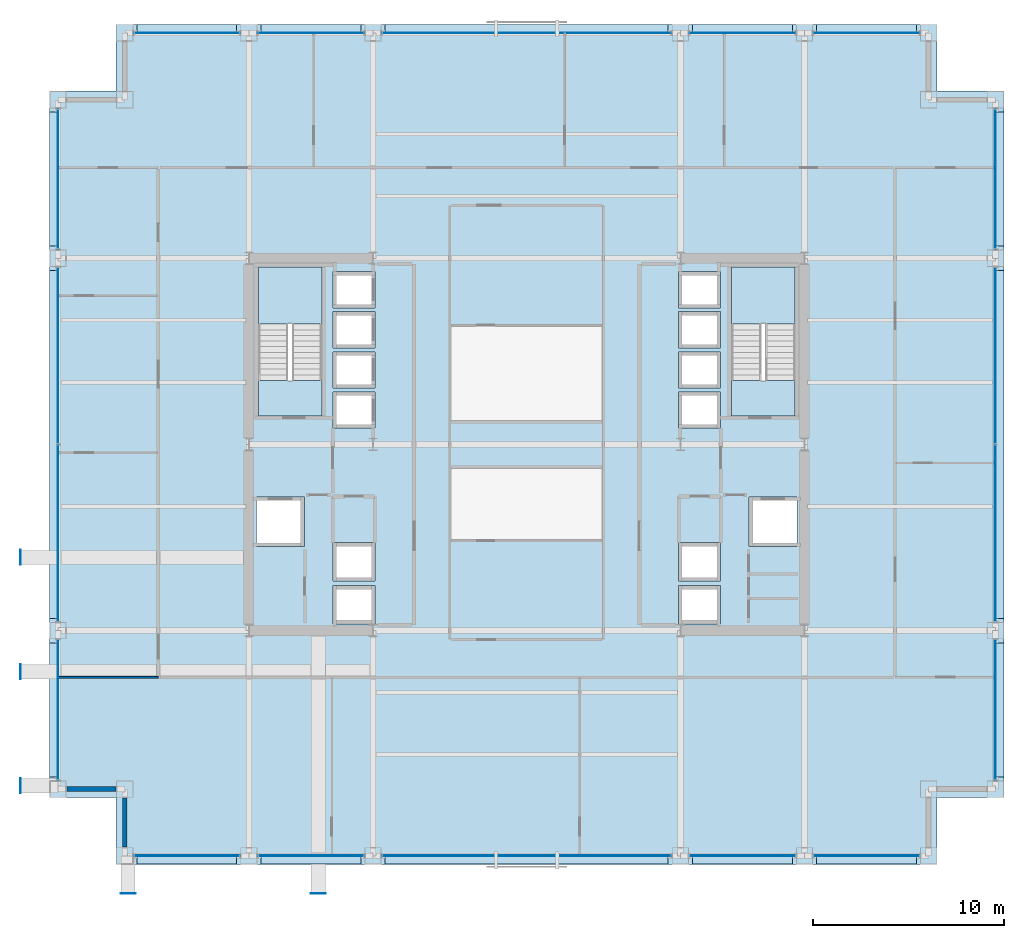
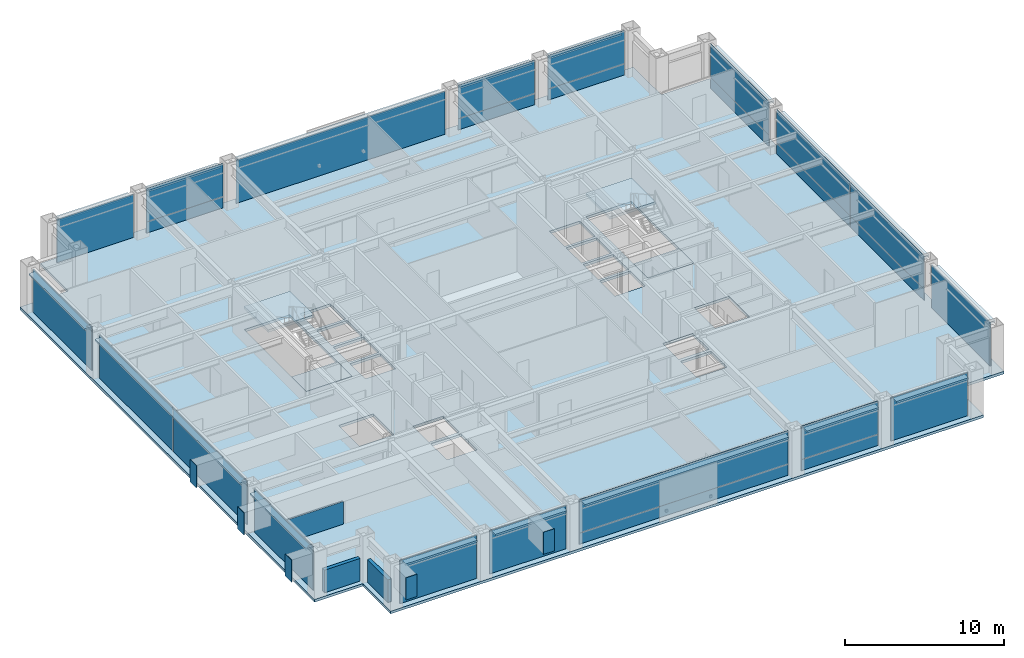
# One storey, part 24 of 29: 47 plates, 5 slabs, 3 walls, 18 elements without a shape of their own.
"""IFC4 building model written with IfcOpenShell, lengths in metres."""

from ifc_helpers import new_model, si_unit, direction, frame, frame_2d, origin, origin_2d, place, context, subcontext, project, spatial, polyline, rectangle, outline, extrude, material, layer, layer_set, type_object, element, aggregate, save


model = new_model("IFC4")

# Units and contexts
model_context = context("Model", 3, precision=1e-05, world=origin(), true_north=direction((0.0, 1.0)))
body_context = subcontext(model_context, "Body", "Model", "MODEL_VIEW")
ifc_project = project(units=[si_unit("LENGTHUNIT", "METRE"), si_unit("AREAUNIT", "SQUARE_METRE"), si_unit("VOLUMEUNIT", "CUBIC_METRE"), si_unit("PLANEANGLEUNIT", "RADIAN"), si_unit("MASSUNIT", "GRAM", prefix="KILO")], contexts=[model_context])

# Site, building, storey
site_placement = place(None, origin())
site = spatial("IfcSite", under=ifc_project, at=site_placement, CompositionType="ELEMENT")
building_placement = place(site_placement, origin())
building = spatial("IfcBuilding", under=site, at=building_placement, Name="Brelmoor Portico Tower", CompositionType="ELEMENT")
storey_placement = place(building_placement, frame((0.0, 0.0, 52.800048828125)))
storey = spatial("IfcBuildingStorey", under=building, at=storey_placement, Name="L13", CompositionType="ELEMENT", Elevation=52.800048828125)

# Plates
ifc_material_1 = material(Name="Steel Q355B", Category="steel")
ifc_layer_1 = layer(ifc_material_1, 0.044921875)
ifc_layer_set_1 = layer_set([ifc_layer_1], Name="Steel Q355B")
plate_type_1 = type_object("IfcPlateType", Name="PT-CAP-650", PredefinedType="SHEET", material=ifc_layer_set_1)
for number, where, z_axis, x_axis, name in (
    (1, (-26.52001953125, -17.8798828125, 1.72021484375), (0.0, 0.0, 1.0), (1.0, 0.0, 0.0), "L13 Picture-Frame Cantilever End Cap Plate PFB-01"),
    (2, (-26.52001953125, -5.919921875, 1.72021484375), (0.0, 0.0, 1.0), (1.0, 0.0, 0.0), "L13 Picture-Frame Cantilever End Cap Plate PFB-02"),
    (3, (-26.52001953125, -11.89990234375, 1.72021484375), (0.0, 0.0, 1.0), (1.0, 0.0, 0.0), "L13 Picture-Frame Cantilever End Cap Plate PFB-03"),
):
    element("IfcPlate", number, at=place(storey_placement, frame(where, z_axis=z_axis, x_axis=x_axis)), inside=storey, type_object=plate_type_1, Name=name, PredefinedType="SHEET", context=body_context, shape_type="SweptSolid", body=[
        extrude(rectangle(XDim=0.0400390625, YDim=0.7900390625, at=origin_2d()), origin(), (0.0, 0.0, 1.0), 1.699951171875),
    ])
for number, where, z_axis, x_axis, name in (
    (4, (-20.8798828125, -23.52001953125, 1.72021484375), (0.0, 0.0, 1.0), (1.0, 0.0, 0.0), "L13 Picture-Frame Cantilever End Cap Plate PFB-04"),
    (5, (-10.919921875, -23.52001953125, 1.72021484375), (0.0, 0.0, 1.0), (1.0, 0.0, 0.0), "L13 Picture-Frame Cantilever End Cap Plate PFB-05"),
):
    element("IfcPlate", number, at=place(storey_placement, frame(where, z_axis=z_axis, x_axis=x_axis)), inside=storey, type_object=plate_type_1, Name=name, PredefinedType="SHEET", context=body_context, shape_type="SweptSolid", body=[
        extrude(rectangle(XDim=0.7900390625, YDim=0.0400390625, at=origin_2d()), origin(), (0.0, 0.0, 1.0), 1.699951171875),
    ])

# Curtain wall, plate
ifc_material_2 = material(Name="Anodised Aluminium Alloy 6063-T6", Category="aluminium")
ifc_layer_2 = layer(ifc_material_2, 0.179931640625)
ifc_layer_set_2 = layer_set([ifc_layer_2], Name="Anodised Aluminium Alloy 6063-T6")
curtain_wall_type_1 = type_object("IfcCurtainWallType", Name="CW-TOWER-Z1", PredefinedType="NOTDEFINED", material=ifc_layer_set_2)
curtain_wall_1_placement = place(storey_placement, origin())
curtain_wall_1 = element("IfcCurtainWall", 6, at=curtain_wall_1_placement, inside=storey, type_object=curtain_wall_type_1, Name="L13 Curtain Wall CW-L13-01-3", PredefinedType="NOTDEFINED")
ifc_material_3 = material(Name="Double-Silver Low-E Insulated Glazing", Category="glass")
ifc_layer_3 = layer(ifc_material_3, 0.035888671875)
ifc_layer_set_3 = layer_set([ifc_layer_3], Name="Double-Silver Low-E Insulated Glazing")
plate_type_2 = type_object("IfcPlateType", Name="PT-CW-GLASS", PredefinedType="CURTAIN_PANEL", material=ifc_layer_set_3)
plate_1_placement = place(storey_placement, frame((0.0, -21.550048828125, 0.85009765625), z_axis=(0.0, 0.0, 1.0), x_axis=(1.0, 0.0, 0.0)))
plate_1 = element("IfcPlate", 7, at=plate_1_placement, type_object=plate_type_2, Name="CW-L13-01-3 Vision Glass Panel 00", PredefinedType="CURTAIN_PANEL", context=body_context, shape_type="SweptSolid", body=[
    extrude(rectangle(XDim=15.14990234375, YDim=0.035888671875, at=origin_2d()), origin(), (0.0, 0.0, 1.0), 2.550048828125),
])

curtain_wall_2_placement = place(storey_placement, origin())
curtain_wall_2 = element("IfcCurtainWall", 8, at=curtain_wall_2_placement, inside=storey, type_object=curtain_wall_type_1, Name="L13 Curtain Wall CW-L13-01-4", PredefinedType="NOTDEFINED")
plate_2_placement = place(storey_placement, frame((11.300048828125, -21.550048828125, 0.85009765625), z_axis=(0.0, 0.0, 1.0), x_axis=(1.0, 0.0, 0.0)))
plate_2 = element("IfcPlate", 9, at=plate_2_placement, type_object=plate_type_2, Name="CW-L13-01-4 Vision Glass Panel 00", PredefinedType="CURTAIN_PANEL", context=body_context, shape_type="SweptSolid", body=[
    extrude(rectangle(XDim=5.550048828125, YDim=0.035888671875, at=origin_2d()), origin(), (0.0, 0.0, 1.0), 2.550048828125),
])

curtain_wall_3_placement = place(storey_placement, origin())
curtain_wall_3 = element("IfcCurtainWall", 10, at=curtain_wall_3_placement, inside=storey, type_object=curtain_wall_type_1, Name="L13 Curtain Wall CW-L13-02-2", PredefinedType="NOTDEFINED")
plate_3_placement = place(storey_placement, frame((-11.300048828125, 21.550048828125, 0.85009765625), z_axis=(0.0, 0.0, 1.0), x_axis=(1.0, 0.0, 0.0)))
plate_3 = element("IfcPlate", 11, at=plate_3_placement, type_object=plate_type_2, Name="CW-L13-02-2 Vision Glass Panel 00", PredefinedType="CURTAIN_PANEL", context=body_context, shape_type="SweptSolid", body=[
    extrude(rectangle(XDim=5.550048828125, YDim=0.035888671875, at=origin_2d()), origin(), (0.0, 0.0, 1.0), 2.550048828125),
])

curtain_wall_4_placement = place(storey_placement, origin())
curtain_wall_4 = element("IfcCurtainWall", 12, at=curtain_wall_4_placement, inside=storey, type_object=curtain_wall_type_1, Name="L13 Curtain Wall CW-L13-02-4", PredefinedType="NOTDEFINED")
plate_4_placement = place(storey_placement, frame((11.300048828125, 21.550048828125, 0.85009765625), z_axis=(0.0, 0.0, 1.0), x_axis=(1.0, 0.0, 0.0)))
plate_4 = element("IfcPlate", 13, at=plate_4_placement, type_object=plate_type_2, Name="CW-L13-02-4 Vision Glass Panel 00", PredefinedType="CURTAIN_PANEL", context=body_context, shape_type="SweptSolid", body=[
    extrude(rectangle(XDim=5.550048828125, YDim=0.035888671875, at=origin_2d()), origin(), (0.0, 0.0, 1.0), 2.550048828125),
])

curtain_wall_5_placement = place(storey_placement, origin())
curtain_wall_5 = element("IfcCurtainWall", 14, at=curtain_wall_5_placement, inside=storey, type_object=curtain_wall_type_1, Name="L13 Curtain Wall CW-L13-02-5", PredefinedType="NOTDEFINED")
plate_5_placement = place(storey_placement, frame((17.800048828125, 21.550048828125, 0.85009765625), z_axis=(0.0, 0.0, 1.0), x_axis=(1.0, 0.0, 0.0)))
plate_5 = element("IfcPlate", 15, at=plate_5_placement, type_object=plate_type_2, Name="CW-L13-02-5 Vision Glass Panel 00", PredefinedType="CURTAIN_PANEL", context=body_context, shape_type="SweptSolid", body=[
    extrude(rectangle(XDim=5.550048828125, YDim=0.035888671875, at=origin_2d()), origin(), (0.0, 0.0, 1.0), 2.550048828125),
])

# Curtain wall, plates
curtain_wall_6_placement = place(storey_placement, origin())
curtain_wall_6 = element("IfcCurtainWall", 16, at=curtain_wall_6_placement, inside=storey, type_object=curtain_wall_type_1, Name="L13 Curtain Wall CW-L13-04-2", PredefinedType="NOTDEFINED")
plate_6_placement = place(storey_placement, frame((24.550048828125, -4.64501953125, 0.85009765625), z_axis=(0.0, 0.0, 1.0), x_axis=(0.0, 1.0, 0.0)))
plate_6 = element("IfcPlate", 17, at=plate_6_placement, type_object=plate_type_2, Name="CW-L13-04-2 Vision Glass Panel 00", PredefinedType="CURTAIN_PANEL", context=body_context, shape_type="SweptSolid", body=[
    extrude(rectangle(XDim=9.260009765625, YDim=0.035888671875, at=origin_2d()), origin(), (0.0, 0.0, 1.0), 2.550048828125),
])
plate_7_placement = place(storey_placement, frame((24.550048828125, 4.64501953125, 0.85009765625), z_axis=(0.0, 0.0, 1.0), x_axis=(0.0, 1.0, 0.0)))
plate_7 = element("IfcPlate", 18, at=plate_7_placement, type_object=plate_type_2, Name="CW-L13-04-2 Vision Glass Panel 01", PredefinedType="CURTAIN_PANEL", context=body_context, shape_type="SweptSolid", body=[
    extrude(rectangle(XDim=9.260009765625, YDim=0.035888671875, at=origin_2d()), origin(), (0.0, 0.0, 1.0), 2.550048828125),
])

# Curtain wall, plate
curtain_wall_7_placement = place(storey_placement, origin())
curtain_wall_7 = element("IfcCurtainWall", 19, at=curtain_wall_7_placement, inside=storey, type_object=curtain_wall_type_1, Name="L13 Curtain Wall CW-L13-04-3", PredefinedType="NOTDEFINED")
plate_8_placement = place(storey_placement, frame((24.550048828125, 13.89990234375, 0.85009765625), z_axis=(0.0, 0.0, 1.0), x_axis=(0.0, 1.0, 0.0)))
plate_8 = element("IfcPlate", 20, at=plate_8_placement, type_object=plate_type_2, Name="CW-L13-04-3 Vision Glass Panel 00", PredefinedType="CURTAIN_PANEL", context=body_context, shape_type="SweptSolid", body=[
    extrude(rectangle(XDim=7.35009765625, YDim=0.035888671875, at=origin_2d()), origin(), (0.0, 0.0, 1.0), 2.550048828125),
])

ifc_layer_4 = layer(ifc_material_2, 0.179931640625)
ifc_layer_set_4 = layer_set([ifc_layer_4], Name="Anodised Aluminium Alloy 6063-T6")
curtain_wall_type_2 = type_object("IfcCurtainWallType", Name="CW-TOWER-Z1-XB", PredefinedType="NOTDEFINED", material=ifc_layer_set_4)
curtain_wall_8_placement = place(storey_placement, origin())
curtain_wall_8 = element("IfcCurtainWall", 21, at=curtain_wall_8_placement, inside=storey, type_object=curtain_wall_type_2, Name="L13 Curtain Wall CW-L13-01-1", PredefinedType="NOTDEFINED")
ifc_material_4 = material(Name="Pale Champagne Anodised Aluminium Panel", Category="aluminium")
ifc_layer_5 = layer(ifc_material_4, 0.050048828125)
ifc_layer_set_5 = layer_set([ifc_layer_5], Name="Pale Champagne Anodised Aluminium Panel")
plate_type_3 = type_object("IfcPlateType", Name="PT-CW-SPANDREL", PredefinedType="SHEET", material=ifc_layer_set_5)
plate_9_placement = place(storey_placement, frame((-17.800048828125, -21.550048828125, 0.0), z_axis=(0.0, 0.0, 1.0), x_axis=(1.0, 0.0, 0.0)))
plate_9 = element("IfcPlate", 22, at=plate_9_placement, type_object=plate_type_3, Name="CW-L13-01-1 Spandrel Panel 00", PredefinedType="SHEET", context=body_context, shape_type="SweptSolid", body=[
    extrude(rectangle(XDim=5.550048828125, YDim=0.050048828125, at=origin_2d()), origin(), (0.0, 0.0, 1.0), 3.330078125),
])
aggregate(curtain_wall_8, [plate_9])

curtain_wall_9_placement = place(storey_placement, origin())
curtain_wall_9 = element("IfcCurtainWall", 23, at=curtain_wall_9_placement, inside=storey, type_object=curtain_wall_type_2, Name="L13 Curtain Wall CW-L13-01-2", PredefinedType="NOTDEFINED")
plate_10_placement = place(storey_placement, frame((-11.300048828125, -21.550048828125, 0.0), z_axis=(0.0, 0.0, 1.0), x_axis=(1.0, 0.0, 0.0)))
plate_10 = element("IfcPlate", 24, at=plate_10_placement, type_object=plate_type_3, Name="CW-L13-01-2 Spandrel Panel 00", PredefinedType="SHEET", context=body_context, shape_type="SweptSolid", body=[
    extrude(rectangle(XDim=5.550048828125, YDim=0.050048828125, at=origin_2d()), origin(), (0.0, 0.0, 1.0), 3.330078125),
])
aggregate(curtain_wall_9, [plate_10])

# Plate
plate_11_placement = place(storey_placement, frame((0.0, -21.550048828125, 0.0), z_axis=(0.0, 0.0, 1.0), x_axis=(1.0, 0.0, 0.0)))
plate_11 = element("IfcPlate", 25, at=plate_11_placement, type_object=plate_type_3, Name="CW-L13-01-3 Spandrel Panel 00", PredefinedType="SHEET", context=body_context, shape_type="SweptSolid", body=[
    extrude(rectangle(XDim=15.14990234375, YDim=0.050048828125, at=origin_2d()), origin(), (0.0, 0.0, 1.0), 0.85009765625),
])

aggregate(curtain_wall_1, [plate_11, plate_1])

plate_12_placement = place(storey_placement, frame((11.300048828125, -21.550048828125, 0.0), z_axis=(0.0, 0.0, 1.0), x_axis=(1.0, 0.0, 0.0)))
plate_12 = element("IfcPlate", 26, at=plate_12_placement, type_object=plate_type_3, Name="CW-L13-01-4 Spandrel Panel 00", PredefinedType="SHEET", context=body_context, shape_type="SweptSolid", body=[
    extrude(rectangle(XDim=5.550048828125, YDim=0.050048828125, at=origin_2d()), origin(), (0.0, 0.0, 1.0), 0.85009765625),
])

aggregate(curtain_wall_2, [plate_12, plate_2])

# Curtain wall, plate
curtain_wall_10_placement = place(storey_placement, origin())
curtain_wall_10 = element("IfcCurtainWall", 27, at=curtain_wall_10_placement, inside=storey, type_object=curtain_wall_type_2, Name="L13 Curtain Wall CW-L13-01-5", PredefinedType="NOTDEFINED")
plate_13_placement = place(storey_placement, frame((17.800048828125, -21.550048828125, 0.0), z_axis=(0.0, 0.0, 1.0), x_axis=(1.0, 0.0, 0.0)))
plate_13 = element("IfcPlate", 28, at=plate_13_placement, type_object=plate_type_3, Name="CW-L13-01-5 Spandrel Panel 00", PredefinedType="SHEET", context=body_context, shape_type="SweptSolid", body=[
    extrude(rectangle(XDim=5.550048828125, YDim=0.050048828125, at=origin_2d()), origin(), (0.0, 0.0, 1.0), 3.330078125),
])
aggregate(curtain_wall_10, [plate_13])

curtain_wall_11_placement = place(storey_placement, origin())
curtain_wall_11 = element("IfcCurtainWall", 29, at=curtain_wall_11_placement, inside=storey, type_object=curtain_wall_type_2, Name="L13 Curtain Wall CW-L13-02-1", PredefinedType="NOTDEFINED")
plate_14_placement = place(storey_placement, frame((-17.800048828125, 21.550048828125, 0.0), z_axis=(0.0, 0.0, 1.0), x_axis=(1.0, 0.0, 0.0)))
plate_14 = element("IfcPlate", 30, at=plate_14_placement, type_object=plate_type_3, Name="CW-L13-02-1 Spandrel Panel 00", PredefinedType="SHEET", context=body_context, shape_type="SweptSolid", body=[
    extrude(rectangle(XDim=5.550048828125, YDim=0.050048828125, at=origin_2d()), origin(), (0.0, 0.0, 1.0), 3.330078125),
])
aggregate(curtain_wall_11, [plate_14])

# Plate
plate_15_placement = place(storey_placement, frame((-11.300048828125, 21.550048828125, 0.0), z_axis=(0.0, 0.0, 1.0), x_axis=(1.0, 0.0, 0.0)))
plate_15 = element("IfcPlate", 31, at=plate_15_placement, type_object=plate_type_3, Name="CW-L13-02-2 Spandrel Panel 00", PredefinedType="SHEET", context=body_context, shape_type="SweptSolid", body=[
    extrude(rectangle(XDim=5.550048828125, YDim=0.050048828125, at=origin_2d()), origin(), (0.0, 0.0, 1.0), 0.85009765625),
])

aggregate(curtain_wall_3, [plate_15, plate_3])

# Curtain wall, plate
curtain_wall_12_placement = place(storey_placement, origin())
curtain_wall_12 = element("IfcCurtainWall", 32, at=curtain_wall_12_placement, inside=storey, type_object=curtain_wall_type_2, Name="L13 Curtain Wall CW-L13-02-3", PredefinedType="NOTDEFINED")
plate_16_placement = place(storey_placement, frame((0.0, 21.550048828125, 0.0), z_axis=(0.0, 0.0, 1.0), x_axis=(1.0, 0.0, 0.0)))
plate_16 = element("IfcPlate", 33, at=plate_16_placement, type_object=plate_type_3, Name="CW-L13-02-3 Spandrel Panel 00", PredefinedType="SHEET", context=body_context, shape_type="SweptSolid", body=[
    extrude(rectangle(XDim=15.14990234375, YDim=0.050048828125, at=origin_2d()), origin(), (0.0, 0.0, 1.0), 3.330078125),
])
aggregate(curtain_wall_12, [plate_16])

# Plate
plate_17_placement = place(storey_placement, frame((11.300048828125, 21.550048828125, 0.0), z_axis=(0.0, 0.0, 1.0), x_axis=(1.0, 0.0, 0.0)))
plate_17 = element("IfcPlate", 34, at=plate_17_placement, type_object=plate_type_3, Name="CW-L13-02-4 Spandrel Panel 00", PredefinedType="SHEET", context=body_context, shape_type="SweptSolid", body=[
    extrude(rectangle(XDim=5.550048828125, YDim=0.050048828125, at=origin_2d()), origin(), (0.0, 0.0, 1.0), 0.85009765625),
])

aggregate(curtain_wall_4, [plate_17, plate_4])

plate_18_placement = place(storey_placement, frame((17.800048828125, 21.550048828125, 0.0), z_axis=(0.0, 0.0, 1.0), x_axis=(1.0, 0.0, 0.0)))
plate_18 = element("IfcPlate", 35, at=plate_18_placement, type_object=plate_type_3, Name="CW-L13-02-5 Spandrel Panel 00", PredefinedType="SHEET", context=body_context, shape_type="SweptSolid", body=[
    extrude(rectangle(XDim=5.550048828125, YDim=0.050048828125, at=origin_2d()), origin(), (0.0, 0.0, 1.0), 0.85009765625),
])

aggregate(curtain_wall_5, [plate_18, plate_5])

# Curtain wall, plate
curtain_wall_13_placement = place(storey_placement, origin())
curtain_wall_13 = element("IfcCurtainWall", 36, at=curtain_wall_13_placement, inside=storey, type_object=curtain_wall_type_2, Name="L13 Curtain Wall CW-L13-03-1", PredefinedType="NOTDEFINED")
plate_19_placement = place(storey_placement, frame((-24.550048828125, -13.89990234375, 0.0), z_axis=(0.0, 0.0, 1.0), x_axis=(0.0, 1.0, 0.0)))
plate_19 = element("IfcPlate", 37, at=plate_19_placement, type_object=plate_type_3, Name="CW-L13-03-1 Spandrel Panel 00", PredefinedType="SHEET", context=body_context, shape_type="SweptSolid", body=[
    extrude(rectangle(XDim=7.35009765625, YDim=0.050048828125, at=origin_2d()), origin(), (0.0, 0.0, 1.0), 3.330078125),
])
aggregate(curtain_wall_13, [plate_19])

# Curtain wall, plates
curtain_wall_14_placement = place(storey_placement, origin())
curtain_wall_14 = element("IfcCurtainWall", 38, at=curtain_wall_14_placement, inside=storey, type_object=curtain_wall_type_2, Name="L13 Curtain Wall CW-L13-03-2", PredefinedType="NOTDEFINED")
plate_20_placement = place(storey_placement, frame((-24.550048828125, -4.64501953125, 0.0), z_axis=(0.0, 0.0, 1.0), x_axis=(0.0, 1.0, 0.0)))
plate_20 = element("IfcPlate", 39, at=plate_20_placement, type_object=plate_type_3, Name="CW-L13-03-2 Spandrel Panel 00", PredefinedType="SHEET", context=body_context, shape_type="SweptSolid", body=[
    extrude(rectangle(XDim=9.260009765625, YDim=0.050048828125, at=origin_2d()), origin(), (0.0, 0.0, 1.0), 3.330078125),
])
plate_21_placement = place(storey_placement, frame((-24.550048828125, 4.64501953125, 0.0), z_axis=(0.0, 0.0, 1.0), x_axis=(0.0, 1.0, 0.0)))
plate_21 = element("IfcPlate", 40, at=plate_21_placement, type_object=plate_type_3, Name="CW-L13-03-2 Spandrel Panel 01", PredefinedType="SHEET", context=body_context, shape_type="SweptSolid", body=[
    extrude(rectangle(XDim=9.260009765625, YDim=0.050048828125, at=origin_2d()), origin(), (0.0, 0.0, 1.0), 3.330078125),
])
aggregate(curtain_wall_14, [plate_20, plate_21])

# Curtain wall, plate
curtain_wall_15_placement = place(storey_placement, origin())
curtain_wall_15 = element("IfcCurtainWall", 41, at=curtain_wall_15_placement, inside=storey, type_object=curtain_wall_type_2, Name="L13 Curtain Wall CW-L13-03-3", PredefinedType="NOTDEFINED")
plate_22_placement = place(storey_placement, frame((-24.550048828125, 13.89990234375, 0.0), z_axis=(0.0, 0.0, 1.0), x_axis=(0.0, 1.0, 0.0)))
plate_22 = element("IfcPlate", 42, at=plate_22_placement, type_object=plate_type_3, Name="CW-L13-03-3 Spandrel Panel 00", PredefinedType="SHEET", context=body_context, shape_type="SweptSolid", body=[
    extrude(rectangle(XDim=7.35009765625, YDim=0.050048828125, at=origin_2d()), origin(), (0.0, 0.0, 1.0), 3.330078125),
])
aggregate(curtain_wall_15, [plate_22])

curtain_wall_16_placement = place(storey_placement, origin())
curtain_wall_16 = element("IfcCurtainWall", 43, at=curtain_wall_16_placement, inside=storey, type_object=curtain_wall_type_2, Name="L13 Curtain Wall CW-L13-04-1", PredefinedType="NOTDEFINED")
plate_23_placement = place(storey_placement, frame((24.550048828125, -13.89990234375, 0.0), z_axis=(0.0, 0.0, 1.0), x_axis=(0.0, 1.0, 0.0)))
plate_23 = element("IfcPlate", 44, at=plate_23_placement, type_object=plate_type_3, Name="CW-L13-04-1 Spandrel Panel 00", PredefinedType="SHEET", context=body_context, shape_type="SweptSolid", body=[
    extrude(rectangle(XDim=7.35009765625, YDim=0.050048828125, at=origin_2d()), origin(), (0.0, 0.0, 1.0), 3.330078125),
])
aggregate(curtain_wall_16, [plate_23])

# Plate
plate_24_placement = place(storey_placement, frame((24.550048828125, -4.64501953125, 0.0), z_axis=(0.0, 0.0, 1.0), x_axis=(0.0, 1.0, 0.0)))
plate_24 = element("IfcPlate", 45, at=plate_24_placement, type_object=plate_type_3, Name="CW-L13-04-2 Spandrel Panel 00", PredefinedType="SHEET", context=body_context, shape_type="SweptSolid", body=[
    extrude(rectangle(XDim=9.260009765625, YDim=0.050048828125, at=origin_2d()), origin(), (0.0, 0.0, 1.0), 0.85009765625),
])

plate_25_placement = place(storey_placement, frame((24.550048828125, 4.64501953125, 0.0), z_axis=(0.0, 0.0, 1.0), x_axis=(0.0, 1.0, 0.0)))
plate_25 = element("IfcPlate", 46, at=plate_25_placement, type_object=plate_type_3, Name="CW-L13-04-2 Spandrel Panel 01", PredefinedType="SHEET", context=body_context, shape_type="SweptSolid", body=[
    extrude(rectangle(XDim=9.260009765625, YDim=0.050048828125, at=origin_2d()), origin(), (0.0, 0.0, 1.0), 0.85009765625),
])

aggregate(curtain_wall_6, [plate_24, plate_6, plate_25, plate_7])

plate_26_placement = place(storey_placement, frame((24.550048828125, 13.89990234375, 0.0), z_axis=(0.0, 0.0, 1.0), x_axis=(0.0, 1.0, 0.0)))
plate_26 = element("IfcPlate", 47, at=plate_26_placement, type_object=plate_type_3, Name="CW-L13-04-3 Spandrel Panel 00", PredefinedType="SHEET", context=body_context, shape_type="SweptSolid", body=[
    extrude(rectangle(XDim=7.35009765625, YDim=0.050048828125, at=origin_2d()), origin(), (0.0, 0.0, 1.0), 0.85009765625),
])

aggregate(curtain_wall_7, [plate_26, plate_8])

# Plates
ifc_material_5 = material(Name="Pale Champagne Perforated Aluminium Solar Screen", Category="aluminium")
ifc_layer_6 = layer(ifc_material_5, 0.054931640625)
ifc_layer_set_6 = layer_set([ifc_layer_6], Name="Pale Champagne Perforated Aluminium Solar Screen")
plate_type_4 = type_object("IfcPlateType", Name="PT-SOLAR-LOUVRE", PredefinedType="SHEET", material=ifc_layer_set_6)
for number, where, z_axis, x_axis, name in (
    (48, (-17.800048828125, -21.760009765625, 3.08984375), (0.0, 0.0, 1.0), (1.0, 0.0, 0.0), "CW-L13-01-1 Caribbean Brise-Soleil Solar Screen"),
    (49, (-11.300048828125, -21.760009765625, 3.08984375), (0.0, 0.0, 1.0), (1.0, 0.0, 0.0), "CW-L13-01-2 Caribbean Brise-Soleil Solar Screen"),
):
    element("IfcPlate", number, at=place(storey_placement, frame(where, z_axis=z_axis, x_axis=x_axis)), inside=storey, type_object=plate_type_4, Name=name, PredefinedType="SHEET", context=body_context, shape_type="SweptSolid", body=[
        extrude(rectangle(XDim=5.219970703125, YDim=0.4599609375, at=origin_2d()), origin(), (0.0, 0.0, 1.0), 0.139892578125),
    ])
plate_27_placement = place(storey_placement, frame((0.0, -21.760009765625, 3.08984375), z_axis=(0.0, 0.0, 1.0), x_axis=(1.0, 0.0, 0.0)))
element("IfcPlate", 50, at=plate_27_placement, inside=storey, type_object=plate_type_4, Name="CW-L13-01-3 Caribbean Brise-Soleil Solar Screen", PredefinedType="SHEET", context=body_context, shape_type="SweptSolid", body=[
    extrude(rectangle(XDim=14.820068359375, YDim=0.4599609375, at=origin_2d()), origin(), (0.0, 0.0, 1.0), 0.139892578125),
])
for number, where, z_axis, x_axis, name in (
    (51, (11.300048828125, -21.760009765625, 3.08984375), (0.0, 0.0, 1.0), (1.0, 0.0, 0.0), "CW-L13-01-4 Caribbean Brise-Soleil Solar Screen"),
    (52, (17.800048828125, -21.760009765625, 3.08984375), (0.0, 0.0, 1.0), (1.0, 0.0, 0.0), "CW-L13-01-5 Caribbean Brise-Soleil Solar Screen"),
    (53, (-17.800048828125, 21.760009765625, 3.08984375), (0.0, 0.0, 1.0), (1.0, 0.0, 0.0), "CW-L13-02-1 Caribbean Brise-Soleil Solar Screen"),
    (54, (-11.300048828125, 21.760009765625, 3.08984375), (0.0, 0.0, 1.0), (1.0, 0.0, 0.0), "CW-L13-02-2 Caribbean Brise-Soleil Solar Screen"),
):
    element("IfcPlate", number, at=place(storey_placement, frame(where, z_axis=z_axis, x_axis=x_axis)), inside=storey, type_object=plate_type_4, Name=name, PredefinedType="SHEET", context=body_context, shape_type="SweptSolid", body=[
        extrude(rectangle(XDim=5.219970703125, YDim=0.4599609375, at=origin_2d()), origin(), (0.0, 0.0, 1.0), 0.139892578125),
    ])
plate_28_placement = place(storey_placement, frame((0.0, 21.760009765625, 3.08984375), z_axis=(0.0, 0.0, 1.0), x_axis=(1.0, 0.0, 0.0)))
element("IfcPlate", 55, at=plate_28_placement, inside=storey, type_object=plate_type_4, Name="CW-L13-02-3 Caribbean Brise-Soleil Solar Screen", PredefinedType="SHEET", context=body_context, shape_type="SweptSolid", body=[
    extrude(rectangle(XDim=14.820068359375, YDim=0.4599609375, at=origin_2d()), origin(), (0.0, 0.0, 1.0), 0.139892578125),
])
for number, where, z_axis, x_axis, name in (
    (56, (11.300048828125, 21.760009765625, 3.08984375), (0.0, 0.0, 1.0), (1.0, 0.0, 0.0), "CW-L13-02-4 Caribbean Brise-Soleil Solar Screen"),
    (57, (17.800048828125, 21.760009765625, 3.08984375), (0.0, 0.0, 1.0), (1.0, 0.0, 0.0), "CW-L13-02-5 Caribbean Brise-Soleil Solar Screen"),
):
    element("IfcPlate", number, at=place(storey_placement, frame(where, z_axis=z_axis, x_axis=x_axis)), inside=storey, type_object=plate_type_4, Name=name, PredefinedType="SHEET", context=body_context, shape_type="SweptSolid", body=[
        extrude(rectangle(XDim=5.219970703125, YDim=0.4599609375, at=origin_2d()), origin(), (0.0, 0.0, 1.0), 0.139892578125),
    ])
plate_29_placement = place(storey_placement, frame((-24.760009765625, -13.89990234375, 3.08984375), z_axis=(0.0, 0.0, 1.0), x_axis=(0.0, 1.0, 0.0)))
element("IfcPlate", 58, at=plate_29_placement, inside=storey, type_object=plate_type_4, Name="CW-L13-03-1 Caribbean Brise-Soleil Solar Screen", PredefinedType="SHEET", context=body_context, shape_type="SweptSolid", body=[
    extrude(rectangle(XDim=7.02001953125, YDim=0.4599609375, at=origin_2d()), origin(), (0.0, 0.0, 1.0), 0.139892578125),
])
plate_30_placement = place(storey_placement, frame((-24.760009765625, 0.0, 3.08984375), z_axis=(0.0, 0.0, 1.0), x_axis=(0.0, 1.0, 0.0)))
element("IfcPlate", 59, at=plate_30_placement, inside=storey, type_object=plate_type_4, Name="CW-L13-03-2 Caribbean Brise-Soleil Solar Screen", PredefinedType="SHEET", context=body_context, shape_type="SweptSolid", body=[
    extrude(rectangle(XDim=18.219970703125, YDim=0.4599609375, at=origin_2d()), origin(), (0.0, 0.0, 1.0), 0.139892578125),
])
for number, where, z_axis, x_axis, name in (
    (60, (-24.760009765625, 13.89990234375, 3.08984375), (0.0, 0.0, 1.0), (0.0, 1.0, 0.0), "CW-L13-03-3 Caribbean Brise-Soleil Solar Screen"),
    (61, (24.760009765625, -13.89990234375, 3.08984375), (0.0, 0.0, 1.0), (0.0, 1.0, 0.0), "CW-L13-04-1 Caribbean Brise-Soleil Solar Screen"),
):
    element("IfcPlate", number, at=place(storey_placement, frame(where, z_axis=z_axis, x_axis=x_axis)), inside=storey, type_object=plate_type_4, Name=name, PredefinedType="SHEET", context=body_context, shape_type="SweptSolid", body=[
        extrude(rectangle(XDim=7.02001953125, YDim=0.4599609375, at=origin_2d()), origin(), (0.0, 0.0, 1.0), 0.139892578125),
    ])
plate_31_placement = place(storey_placement, frame((24.760009765625, 0.0, 3.08984375), z_axis=(0.0, 0.0, 1.0), x_axis=(0.0, 1.0, 0.0)))
element("IfcPlate", 62, at=plate_31_placement, inside=storey, type_object=plate_type_4, Name="CW-L13-04-2 Caribbean Brise-Soleil Solar Screen", PredefinedType="SHEET", context=body_context, shape_type="SweptSolid", body=[
    extrude(rectangle(XDim=18.219970703125, YDim=0.4599609375, at=origin_2d()), origin(), (0.0, 0.0, 1.0), 0.139892578125),
])
plate_32_placement = place(storey_placement, frame((24.760009765625, 13.89990234375, 3.08984375), z_axis=(0.0, 0.0, 1.0), x_axis=(0.0, 1.0, 0.0)))
element("IfcPlate", 63, at=plate_32_placement, inside=storey, type_object=plate_type_4, Name="CW-L13-04-3 Caribbean Brise-Soleil Solar Screen", PredefinedType="SHEET", context=body_context, shape_type="SweptSolid", body=[
    extrude(rectangle(XDim=7.02001953125, YDim=0.4599609375, at=origin_2d()), origin(), (0.0, 0.0, 1.0), 0.139892578125),
])

# Slab
ifc_material_6 = material(Name="Concrete C40", Category="concrete")
ifc_layer_7 = layer(ifc_material_6, 0.199951171875)
ifc_layer_set_7 = layer_set([ifc_layer_7], Name="Concrete C40")
slab_type_1 = type_object("IfcSlabType", Name="SL-FLOOR-200", PredefinedType="FLOOR", material=ifc_layer_set_7)
slab_1_placement = place(storey_placement, frame((0.0, 0.0, -0.199951171875)))
element("IfcSlab", 64, at=slab_1_placement, inside=storey, type_object=slab_type_1, Name="L13 Main Structural Floor Slab", PredefinedType="FLOOR", context=body_context, shape_type="SweptSolid", body=[
    extrude(outline(polyline([(-21.5, -22.0), (21.5, -22.0), (21.5, -18.5), (25.0, -18.5), (25.0, 18.5), (21.5, 18.5), (21.5, 22.0), (-21.5, 22.0), (-21.5, 18.5), (-25.0, 18.5), (-25.0, -18.5), (-21.5, -18.5), (-21.5, -22.0)]), holes=[polyline([(-10.72998046875, 1.5), (-10.72998046875, 9.300048828125), (-14.050048828125, 9.300048828125), (-14.050048828125, 1.5), (-10.72998046875, 1.5)]), polyline([(14.050048828125, 1.5), (14.050048828125, 9.300048828125), (10.72998046875, 9.300048828125), (10.72998046875, 1.5), (14.050048828125, 1.5)]), polyline([(-10.14990234375, 0.85009765625), (-7.949951171875, 0.85009765625), (-7.949951171875, 2.75), (-10.14990234375, 2.75), (-10.14990234375, 0.85009765625)]), polyline([(-10.14990234375, 2.949951171875), (-7.949951171875, 2.949951171875), (-7.949951171875, 4.85009765625), (-10.14990234375, 4.85009765625), (-10.14990234375, 2.949951171875)]), polyline([(-10.14990234375, 5.050048828125), (-7.949951171875, 5.050048828125), (-7.949951171875, 6.949951171875), (-10.14990234375, 6.949951171875), (-10.14990234375, 5.050048828125)]), polyline([(-10.14990234375, 7.14990234375), (-7.949951171875, 7.14990234375), (-7.949951171875, 9.050048828125), (-10.14990234375, 9.050048828125), (-10.14990234375, 7.14990234375)]), polyline([(7.949951171875, 0.85009765625), (10.14990234375, 0.85009765625), (10.14990234375, 2.75), (7.949951171875, 2.75), (7.949951171875, 0.85009765625)]), polyline([(7.949951171875, 2.949951171875), (10.14990234375, 2.949951171875), (10.14990234375, 4.85009765625), (7.949951171875, 4.85009765625), (7.949951171875, 2.949951171875)]), polyline([(7.949951171875, 5.050048828125), (10.14990234375, 5.050048828125), (10.14990234375, 6.949951171875), (7.949951171875, 6.949951171875), (7.949951171875, 5.050048828125)]), polyline([(7.949951171875, 7.14990234375), (10.14990234375, 7.14990234375), (10.14990234375, 9.050048828125), (7.949951171875, 9.050048828125), (7.949951171875, 7.14990234375)]), polyline([(-10.14990234375, -9.39990234375), (-7.949951171875, -9.39990234375), (-7.949951171875, -7.39990234375), (-10.14990234375, -7.39990234375), (-10.14990234375, -9.39990234375)]), polyline([(-10.14990234375, -7.14990234375), (-7.949951171875, -7.14990234375), (-7.949951171875, -5.14990234375), (-10.14990234375, -5.14990234375), (-10.14990234375, -7.14990234375)]), polyline([(7.949951171875, -9.39990234375), (10.14990234375, -9.39990234375), (10.14990234375, -7.39990234375), (7.949951171875, -7.39990234375), (7.949951171875, -9.39990234375)]), polyline([(7.949951171875, -7.14990234375), (10.14990234375, -7.14990234375), (10.14990234375, -5.14990234375), (7.949951171875, -5.14990234375), (7.949951171875, -7.14990234375)]), polyline([(-14.14990234375, -5.35009765625), (-11.64990234375, -5.35009765625), (-11.64990234375, -2.75), (-14.14990234375, -2.75), (-14.14990234375, -5.35009765625)]), polyline([(11.64990234375, -5.35009765625), (14.14990234375, -5.35009765625), (14.14990234375, -2.75), (11.64990234375, -2.75), (11.64990234375, -5.35009765625)])]), origin(), (0.0, 0.0, 1.0), 0.199951171875),
])

# Stair, slab
stair_type_1 = type_object("IfcStairType", Name="ST-CORE-W", PredefinedType="HALF_TURN_STAIR", material=ifc_material_6)
stair_1_placement = place(storey_placement, origin())
stair_1 = element("IfcStair", 65, at=stair_1_placement, inside=storey, type_object=stair_type_1, Name="L13 Protected Core Exit Stair ST-W", PredefinedType="HALF_TURN_STAIR")
ifc_layer_8 = layer(ifc_material_6, 0.179931640625)
ifc_layer_set_8 = layer_set([ifc_layer_8], Name="Concrete C40")
slab_type_2 = type_object("IfcSlabType", Name="SL-LANDING-180", PredefinedType="LANDING", material=ifc_layer_set_8)
slab_2_placement = place(storey_placement, frame((0.0, 0.0, 1.599853515625)))
slab_2 = element("IfcSlab", 66, at=slab_2_placement, type_object=slab_type_2, Name="ST-W landing 1", PredefinedType="LANDING", context=body_context, shape_type="SweptSolid", body=[
    extrude(outline(polyline([(-10.72998046875, 6.300048828125), (-10.72998046875, 9.300048828125), (-14.050048828125, 9.300048828125), (-14.050048828125, 6.300048828125), (-10.72998046875, 6.300048828125)])), origin(), (0.0, 0.0, 1.0), 0.2001953125),
])
aggregate(stair_1, [slab_2])

stair_type_2 = type_object("IfcStairType", Name="ST-CORE-E", PredefinedType="HALF_TURN_STAIR", material=ifc_material_6)
stair_2_placement = place(storey_placement, origin())
stair_2 = element("IfcStair", 67, at=stair_2_placement, inside=storey, type_object=stair_type_2, Name="L13 Protected Core Exit Stair ST-E", PredefinedType="HALF_TURN_STAIR")
slab_3_placement = place(storey_placement, frame((0.0, 0.0, 1.599853515625)))
slab_3 = element("IfcSlab", 68, at=slab_3_placement, type_object=slab_type_2, Name="ST-E landing 1", PredefinedType="LANDING", context=body_context, shape_type="SweptSolid", body=[
    extrude(outline(polyline([(14.050048828125, 6.300048828125), (14.050048828125, 9.300048828125), (10.72998046875, 9.300048828125), (10.72998046875, 6.300048828125), (14.050048828125, 6.300048828125)])), origin(), (0.0, 0.0, 1.0), 0.2001953125),
])
aggregate(stair_2, [slab_3])

# Slabs
ifc_layer_9 = layer(ifc_material_6, 0.199951171875)
ifc_layer_set_9 = layer_set([ifc_layer_9], Name="Concrete C40")
slab_type_3 = type_object("IfcSlabType", Name="SL-STAIR-FL200", PredefinedType="LANDING", material=ifc_layer_set_9)
slab_4_placement = place(storey_placement, frame((0.0, 0.0, -0.199951171875)))
element("IfcSlab", 69, at=slab_4_placement, inside=storey, type_object=slab_type_3, Name="L13 ST-W Structural Floor Landing Slab", PredefinedType="LANDING", context=body_context, shape_type="SweptSolid", body=[
    extrude(outline(polyline([(-10.72998046875, 1.5), (-10.72998046875, 3.35009765625), (-14.050048828125, 3.35009765625), (-14.050048828125, 1.5), (-10.72998046875, 1.5)])), origin(), (0.0, 0.0, 1.0), 0.199951171875),
])
slab_5_placement = place(storey_placement, frame((0.0, 0.0, -0.199951171875)))
element("IfcSlab", 70, at=slab_5_placement, inside=storey, type_object=slab_type_3, Name="L13 ST-E Structural Floor Landing Slab", PredefinedType="LANDING", context=body_context, shape_type="SweptSolid", body=[
    extrude(outline(polyline([(14.050048828125, 1.5), (14.050048828125, 3.35009765625), (10.72998046875, 3.35009765625), (10.72998046875, 1.5), (14.050048828125, 1.5)])), origin(), (0.0, 0.0, 1.0), 0.199951171875),
])

# Walls
ifc_material_7 = material(Name="Precast Concrete C40 Insulated Facade Wall", Category="concrete")
ifc_layer_10 = layer(ifc_material_7, 0.25)
ifc_layer_set_10 = layer_set([ifc_layer_10], Name="Precast Concrete C40 Insulated Facade Wall")
wall_type_1 = type_object("IfcWallType", Name="WL-EXT-250", PredefinedType="STANDARD", material=ifc_layer_set_10)
for number, where, z_axis, x_axis, name in (
    (71, (-24.090087890625, -18.050048828125, 0.0), (0.0, 0.0, 1.0), (1.0, 0.0, 0.0), "L13 Corner Notch Facade Wall NSWH1"),
    (72, (-21.050048828125, -21.090087890625, 0.0), (0.0, 0.0, 1.0), (0.0, 1.0, 0.0), "L13 Corner Notch Facade Wall NSWV1"),
):
    element("IfcWall", number, at=place(storey_placement, frame(where, z_axis=z_axis, x_axis=x_axis)), inside=storey, type_object=wall_type_1, Name=name, PredefinedType="STANDARD", context=body_context, shape_type="SweptSolid", body=[
        extrude(rectangle(XDim=2.580078125, YDim=0.25, at=frame_2d((1.2900390625, 0.0))), origin(), (0.0, 0.0, 1.0), 1.739990234375),
    ])
ifc_material_8 = material(Name="Demountable Glazed Office Partition", Category="aluminium")
ifc_layer_11 = layer(ifc_material_8, 0.10009765625)
ifc_layer_set_11 = layer_set([ifc_layer_11], Name="Demountable Glazed Office Partition")
wall_type_2 = type_object("IfcWallType", Name="WL-PART-100", PredefinedType="PARTITIONING", material=ifc_layer_set_11)
wall_placement = place(storey_placement, frame((-24.56005859375, -12.199951171875, 0.0), z_axis=(0.0, 0.0, 1.0), x_axis=(1.0, 0.0, 0.0)))
element("IfcWall", 73, at=wall_placement, inside=storey, type_object=wall_type_2, Name="L13 South Outer Closure WL", PredefinedType="PARTITIONING", context=body_context, shape_type="SweptSolid", body=[
    extrude(rectangle(XDim=5.260009765625, YDim=0.10009765625, at=frame_2d((2.6298828125, 0.0))), origin(), (0.0, 0.0, 1.0), 1.739990234375),
])

save(model, "model.ifc")
